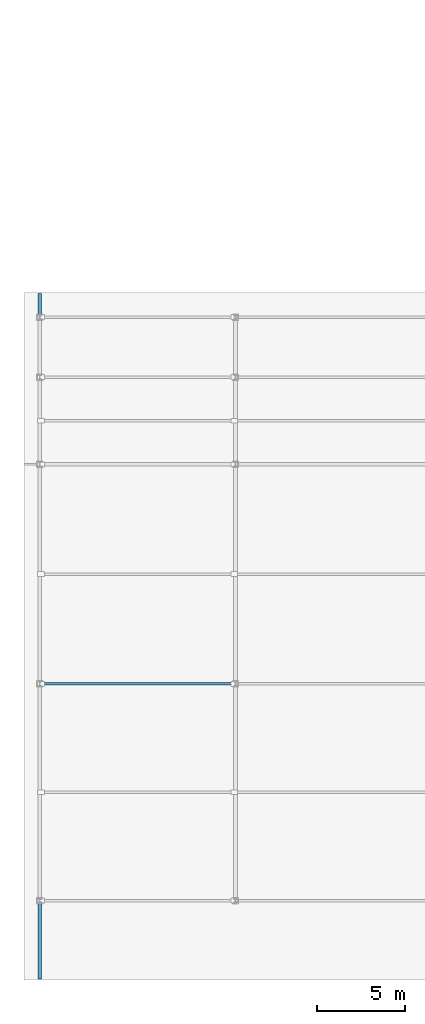
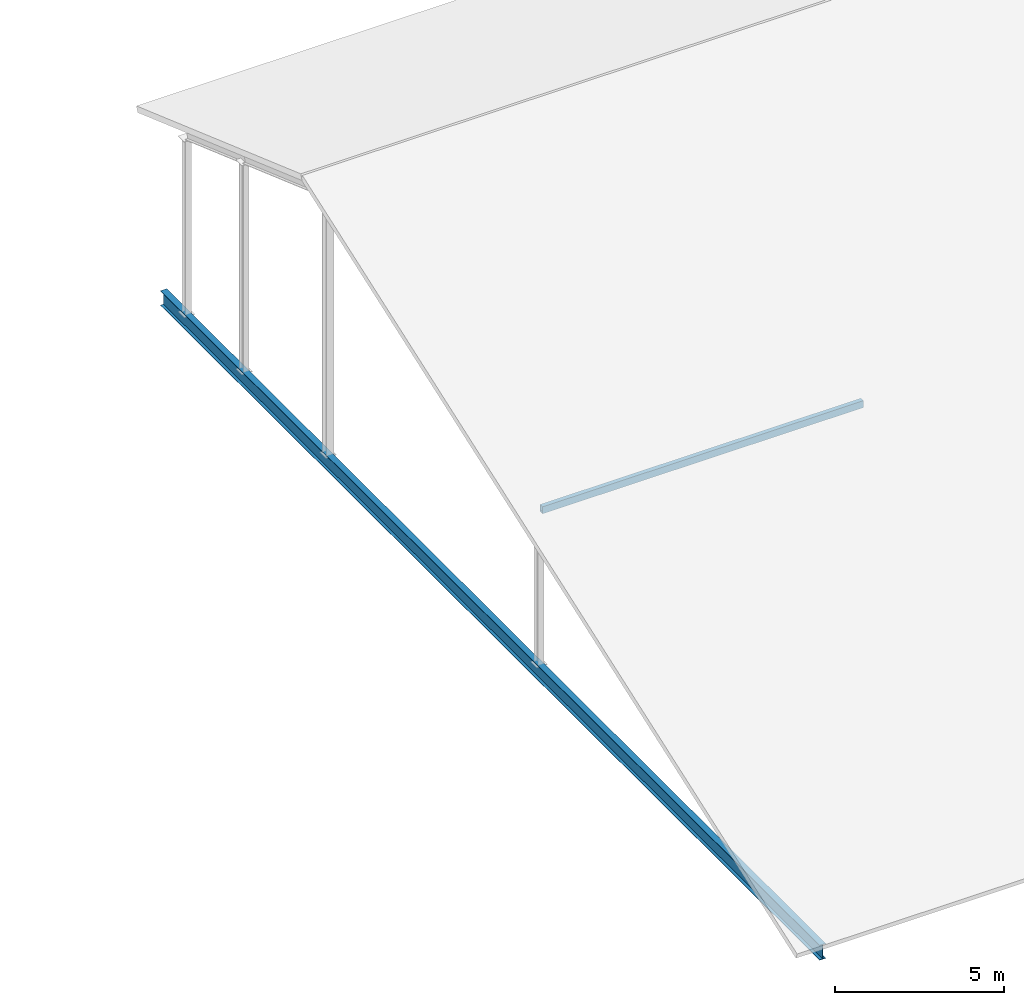
# One storey, part 2 of 42: 1 beam, 1 member.
"""IFC4 building model written with IfcOpenShell, lengths in metres."""

from ifc_helpers import new_model, si_unit, direction, frame, origin, origin_2d, place, context, subcontext, project, spatial, hollow_rectangle, i_section, extrude, material, material_profile, profile_set, type_object, element, save


model = new_model("IFC4")

# Units and contexts
model_context = context("Model", 3, precision=1e-05, world=origin(), true_north=direction((0.0, 1.0)))
body_context = subcontext(model_context, "Body", "Model", "MODEL_VIEW")
ifc_project = project(units=[si_unit("LENGTHUNIT", "METRE"), si_unit("AREAUNIT", "SQUARE_METRE"), si_unit("VOLUMEUNIT", "CUBIC_METRE"), si_unit("PLANEANGLEUNIT", "RADIAN"), si_unit("MASSUNIT", "GRAM", prefix="KILO")], contexts=[model_context])

# Site, building, storey
site_placement = place(None, origin())
site = spatial("IfcSite", under=ifc_project, at=site_placement, CompositionType="ELEMENT")
building_placement = place(site_placement, origin())
building = spatial("IfcBuilding", under=site, at=building_placement, Name="Kelmvaro Bay Concert Hall", CompositionType="ELEMENT")
storey_placement = place(building_placement, frame((0.0, 0.0, 26.699951171875)))
storey = spatial("IfcBuildingStorey", under=building, at=storey_placement, Name="RF", CompositionType="ELEMENT", Elevation=26.699951171875)

# Member
ifc_material_1 = material(Name="Steel ASTM A500 Grade C", Category="steel")
ifc_material_profile_1 = material_profile(ifc_material_1, hollow_rectangle(XDim=0.14990234375, YDim=0.25, WallThickness=0.010009765625, at=origin_2d()), Name="HSS250X150X10")
ifc_profile_set_1 = profile_set([ifc_material_profile_1], Name="Steel ASTM A500 Grade C")
member_type = type_object("IfcMemberType", Name="Crystal Roof Mid Purlin HSS250x150x10", PredefinedType="PURLIN", material=ifc_profile_set_1)
member_placement = place(storey_placement, frame((0.985107421875, 16.800048828125, -7.402587890625), z_axis=(1.0, 0.0, 0.0), x_axis=(0.0, 1.0, 0.0)))
element("IfcMember", 1, at=member_placement, inside=storey, type_object=member_type, Name="V3 Crystal Roof Purlin 009", PredefinedType="PURLIN", context=body_context, shape_type="SweptSolid", body=[
    extrude(hollow_rectangle(XDim=0.14990234375, YDim=0.25, WallThickness=0.010009765625, at=origin_2d()), origin(), (0.0, 0.0, 1.0), 10.929931640625),
])

# Beam
ifc_material_2 = material(Name="Steel ASTM A992 Grade 50", Category="steel")
ifc_material_profile_2 = material_profile(ifc_material_2, i_section(OverallWidth=0.2099609375, OverallDepth=0.535888671875, WebThickness=0.010986328125, FlangeThickness=0.017333984375, at=origin_2d()), Name="W21X68")
ifc_profile_set_2 = profile_set([ifc_material_profile_2], Name="Steel ASTM A992 Grade 50")
beam_type = type_object("IfcBeamType", Name="Crystal Roof Tie Girder W21x68", PredefinedType="BEAM", material=ifc_profile_set_2)
beam_placement = place(storey_placement, frame((0.89990234375, 0.050048828125, -13.16796875), z_axis=(0.0, 1.0, 0.0), x_axis=(-1.0, 0.0, 0.0)))
element("IfcBeam", 2, at=beam_placement, inside=storey, type_object=beam_type, Name="V3 Crystal Roof Tie Girder 001", PredefinedType="BEAM", context=body_context, shape_type="SweptSolid", body=[
    extrude(i_section(OverallWidth=0.2099609375, OverallDepth=0.535888671875, WebThickness=0.010986328125, FlangeThickness=0.017333984375, at=origin_2d()), origin(), (0.0, 0.0, 1.0), 38.89990234375),
])

save(model, "model.ifc")
